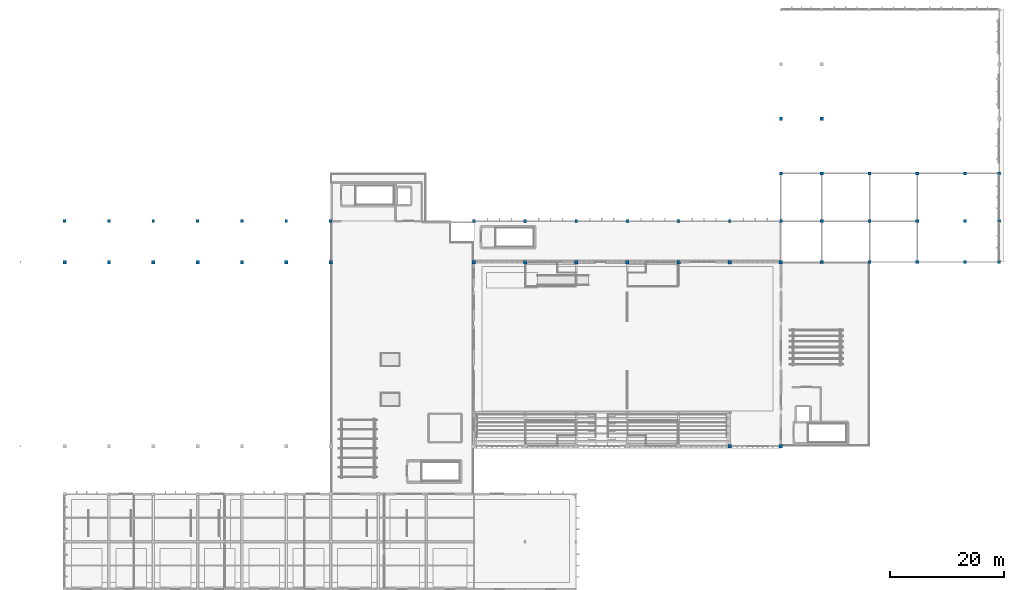
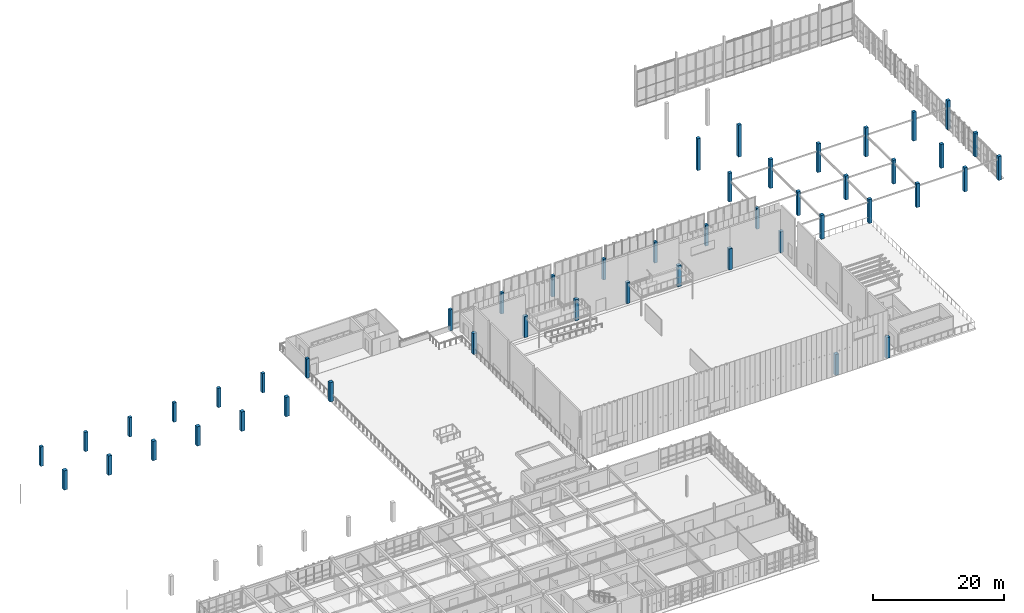
# One storey, part 4 of 67: 48 columns.
"""IFC4 building model written with IfcOpenShell, lengths in metres."""

import ifcopenshell
import ifcopenshell.guid

model = None  # the IFC model being written
_history = None  # IfcOwnerHistory: only IFC2X3 demands one
_inside = {}  # id of a spatial element -> (the spatial element, [elements in it])
_under = {}  # id of a project, library or spatial element -> (it, [spatial elements below it])
_declared = {}  # id of a project -> (the project, [libraries it declares])
_typed = {}  # id of a type object -> (the type object, [elements of that type])
_made_of = {}  # id of a material, layer set ... -> (it, [elements and type objects made of it])


def new_model(schema):
    """Start an empty IFC model of exactly this schema.

    Asked for "IFC4X3", IfcOpenShell would pick the latest addendum, in which some entities
    have other attributes; the version numbers below select the first issue.
    IFC2X3 requires an IfcOwnerHistory on every rooted entity: one is made here for all.
    """
    global model, _history
    if schema == "IFC4X3":
        model = ifcopenshell.file(schema_version=(4, 3, 0, 0))
    else:
        model = ifcopenshell.file(schema=schema)
    _inside.clear()
    _under.clear()
    _declared.clear()
    _typed.clear()
    _made_of.clear()
    _history = None
    if model.schema == "IFC2X3":
        org = make("IfcOrganization", Name="unknown")
        user = make(
            "IfcPersonAndOrganization",
            ThePerson=make("IfcPerson", FamilyName="unknown"),
            TheOrganization=org,
        )
        app = make(
            "IfcApplication",
            ApplicationDeveloper=org,
            Version="unknown",
            ApplicationFullName="unknown",
            ApplicationIdentifier="unknown",
        )
        _history = make(
            "IfcOwnerHistory",
            OwningUser=user,
            OwningApplication=app,
            ChangeAction="ADDED",
            CreationDate=0,
        )
    return model


def make(cls, **values):
    """One entity of the class cls with the attributes given. An attribute that is None is left unset."""
    return model.create_entity(
        cls, **{name: value for name, value in values.items() if value is not None}
    )


def rooted(cls, **values):
    """An entity with a GlobalId (a new one), such as an element, a storey or a relation."""
    return make(cls, GlobalId=ifcopenshell.guid.new(), OwnerHistory=_history, **values)


def si_unit(unit_type, name, prefix=None):
    """IfcSIUnit, for example si_unit("LENGTHUNIT", "METRE", prefix="MILLI")."""
    return make("IfcSIUnit", UnitType=unit_type, Prefix=prefix, Name=name)


def assignment(units):
    """IfcUnitAssignment: the units of a project."""
    return None if units is None else make("IfcUnitAssignment", Units=units)


def point(xyz):
    """IfcCartesianPoint."""
    return None if xyz is None else make("IfcCartesianPoint", Coordinates=xyz)


def direction(xyz):
    """IfcDirection."""
    return None if xyz is None else make("IfcDirection", DirectionRatios=xyz)


def frame(location, z_axis=None, x_axis=None):
    """IfcAxis2Placement3D, a coordinate frame: its origin and axes. An axis left out is left unset."""
    return make(
        "IfcAxis2Placement3D",
        Location=point(location),
        Axis=direction(z_axis),
        RefDirection=direction(x_axis),
    )


def frame_2d(location, x_axis=None):
    """IfcAxis2Placement2D, a coordinate frame in the plane: its origin and x axis."""
    return make(
        "IfcAxis2Placement2D", Location=point(location), RefDirection=direction(x_axis)
    )


def origin():
    """The frame at (0, 0, 0) with its axes left unset."""
    return frame((0.0, 0.0, 0.0))


def origin_2d():
    """The frame at (0, 0) in the plane with its x axis left unset."""
    return frame_2d((0.0, 0.0))


def place(relative_to, where):
    """IfcLocalPlacement: puts the frame where relative to a parent placement (None: the world)."""
    return make(
        "IfcLocalPlacement", PlacementRelTo=relative_to, RelativePlacement=where
    )


def context(
    kind, dimensions, precision=None, world=None, true_north=None, identifier=None
):
    """IfcGeometricRepresentationContext, for example the 3D "Model" context."""
    return make(
        "IfcGeometricRepresentationContext",
        ContextIdentifier=identifier,
        ContextType=kind,
        CoordinateSpaceDimension=dimensions,
        Precision=precision,
        WorldCoordinateSystem=world,
        TrueNorth=true_north,
    )


def subcontext(parent, identifier, kind, view, scale=None):
    """IfcGeometricRepresentationSubContext, for example "Body" below "Model"."""
    return make(
        "IfcGeometricRepresentationSubContext",
        ContextIdentifier=identifier,
        ContextType=kind,
        ParentContext=parent,
        TargetScale=scale,
        TargetView=view,
    )


def project(units=None, contexts=None):
    """IfcProject with its units and contexts."""
    return rooted(
        "IfcProject",
        Name="project",
        RepresentationContexts=contexts,
        UnitsInContext=assignment(units),
    )


def spatial(cls, under=None, at=None, **own):
    """A site, building, storey or space (cls), placed at a placement, below another one or the project."""
    s = rooted(cls, ObjectPlacement=at, **own)
    if under is not None:
        _under.setdefault(under.id(), (under, []))[1].append(s)
    return s


def profile(cls, at=None, kind="AREA", **sizes):
    """A parametric profile (cls). Its sizes go by their IFC names, for example OverallWidth=200.0."""
    return make(cls, ProfileType=kind, Position=at, **sizes)


def rectangle(**sizes):
    """IfcRectangleProfileDef."""
    return profile("IfcRectangleProfileDef", **sizes)


def extrude(swept, where, along, depth):
    """IfcExtrudedAreaSolid: the profile swept, set in the frame where, extruded along a direction by depth."""
    return make(
        "IfcExtrudedAreaSolid",
        SweptArea=swept,
        Position=where,
        ExtrudedDirection=direction(along),
        Depth=depth,
    )


def shape(context_of_items, identifier, shape_type, items):
    """IfcShapeRepresentation: the items that make up one representation, for example the "Body"."""
    return make(
        "IfcShapeRepresentation",
        ContextOfItems=context_of_items,
        RepresentationIdentifier=identifier,
        RepresentationType=shape_type,
        Items=items,
    )


def material(Name=None, Category=None):
    """IfcMaterial."""
    return make("IfcMaterial", Name=Name, Category=Category)


def material_profile(
    of_material, cross_section, Name=None, Category=None, Priority=None
):
    """IfcMaterialProfile: a cross section and its material."""
    return make(
        "IfcMaterialProfile",
        Name=Name,
        Material=of_material,
        Profile=cross_section,
        Priority=Priority,
        Category=Category,
    )


def profile_set(profiles, Name=None, composite=None):
    """IfcMaterialProfileSet."""
    return make(
        "IfcMaterialProfileSet",
        Name=Name,
        MaterialProfiles=profiles,
        CompositeProfile=composite,
    )


def made_of(thing, what):
    """Note that an element or type object is made of a material, layer set ...; save() writes the relation."""
    if what is not None:
        _made_of.setdefault(what.id(), (what, []))[1].append(thing)
    return thing


def type_object(cls, material=None, **own):
    """A type object (cls), such as IfcWallType, which elements share."""
    return made_of(rooted(cls, **own), material)


def element(
    cls,
    number,
    at=None,
    inside=None,
    cuts=None,
    type_object=None,
    material=None,
    context=None,
    identifier="Body",
    shape_type=None,
    held_by="IfcProductDefinitionShape",
    body=None,
    shapes=None,
    **own,
):
    """One element of the class cls, such as IfcWall. Its Tag is "e" and its number.

    at: its placement. inside: the storey or other place that contains it. cuts: it is an
    opening in that element (IfcRelVoidsElement). A single representation is given by context,
    identifier, shape_type and body (its items); several are given by shapes. held_by: the class
    of the entity that holds the representations. save() writes the other relations.
    """
    e = rooted(cls, Tag="e%d" % number, ObjectPlacement=at, **own)
    if body is not None:
        shapes = [shape(context, identifier, shape_type, body)]
    if shapes is not None:
        e.Representation = make(held_by, Representations=shapes)
    if inside is not None:
        _inside.setdefault(inside.id(), (inside, []))[1].append(e)
    if cuts is not None:
        rooted(
            "IfcRelVoidsElement", RelatingBuildingElement=cuts, RelatedOpeningElement=e
        )
    if type_object is not None:
        _typed.setdefault(type_object.id(), (type_object, []))[1].append(e)
    return made_of(e, material)


def aggregate(whole, parts):
    """IfcRelAggregates: a whole, such as a stair, and the parts it consists of."""
    return rooted("IfcRelAggregates", RelatingObject=whole, RelatedObjects=parts)


def save(model, path):
    """Write the relations noted so far, then the file.

    IfcRelAggregates (storeys below a building ...), IfcRelContainedInSpatialStructure (elements
    in a storey), IfcRelDefinesByType, IfcRelAssociatesMaterial and IfcRelDeclares: one each for
    every whole, place, type object, material and project.
    """
    for whole, parts in _under.values():
        aggregate(whole, parts)
    for where, things in _inside.values():
        rooted(
            "IfcRelContainedInSpatialStructure",
            RelatedElements=things,
            RelatingStructure=where,
        )
    for kind, things in _typed.values():
        rooted("IfcRelDefinesByType", RelatedObjects=things, RelatingType=kind)
    for what, things in _made_of.values():
        rooted("IfcRelAssociatesMaterial", RelatedObjects=things, RelatingMaterial=what)
    for by, libraries in _declared.values():
        rooted("IfcRelDeclares", RelatingContext=by, RelatedDefinitions=libraries)
    model.write(path)


model = new_model("IFC4")

# Units and contexts
model_context = context("Model", 3, precision=1e-05, world=origin(), true_north=direction((0.0, 1.0)))
body_context = subcontext(model_context, "Body", "Model", "MODEL_VIEW")
ifc_project = project(units=[si_unit("LENGTHUNIT", "METRE"), si_unit("AREAUNIT", "SQUARE_METRE"), si_unit("VOLUMEUNIT", "CUBIC_METRE"), si_unit("PLANEANGLEUNIT", "RADIAN"), si_unit("MASSUNIT", "GRAM", prefix="KILO")], contexts=[model_context])

# Site, building, storey
site_placement = place(None, origin())
site = spatial("IfcSite", under=ifc_project, at=site_placement, CompositionType="ELEMENT")
building_placement = place(site_placement, origin())
building = spatial("IfcBuilding", under=site, at=building_placement, Name="Tizgana Railside Sports Hall", CompositionType="ELEMENT")
storey_placement = place(building_placement, frame((0.0, 0.0, 12.0)))
storey = spatial("IfcBuildingStorey", under=building, at=storey_placement, Name="L02", CompositionType="ELEMENT", Elevation=12.0)

# Columns
ifc_material_1 = material(Name="Concrete C35/45", Category="concrete")
ifc_material_profile_1 = material_profile(ifc_material_1, rectangle(XDim=0.5, YDim=0.5, at=origin_2d()), Name="RC 500x500")
ifc_profile_set_1 = profile_set([ifc_material_profile_1], Name="Concrete C35/45")
column_type_1 = type_object("IfcColumnType", Name="Concrete Column RC 500x500", PredefinedType="COLUMN", material=ifc_profile_set_1)
for number, where, z_axis, x_axis, name in (
    (1, (7.800048828125, 80.39990234375, 0.0), (0.0, 0.0, 1.0), (1.0, 0.0, 0.0), "L02 COL-0028"),
    (2, (15.60009765625, 80.39990234375, 0.0), (0.0, 0.0, 1.0), (1.0, 0.0, 0.0), "L02 COL-0048"),
    (3, (23.39990234375, 80.39990234375, 0.0), (0.0, 0.0, 1.0), (1.0, 0.0, 0.0), "L02 COL-0076"),
    (4, (31.199951171875, 80.39990234375, 0.0), (0.0, 0.0, 1.0), (1.0, 0.0, 0.0), "L02 COL-0096"),
    (5, (39.0, 80.39990234375, 0.0), (0.0, 0.0, 1.0), (1.0, 0.0, 0.0), "L02 COL-0124"),
    (6, (46.800048828125, 80.39990234375, 0.0), (0.0, 0.0, 1.0), (1.0, 0.0, 0.0), "L02 COL-0144"),
    (7, (54.60009765625, 80.39990234375, 0.0), (0.0, 0.0, 1.0), (1.0, 0.0, 0.0), "L02 COL-0175"),
):
    element("IfcColumn", number, at=place(storey_placement, frame(where, z_axis=z_axis, x_axis=x_axis)), inside=storey, type_object=column_type_1, Name=name, PredefinedType="COLUMN", context=body_context, shape_type="SweptSolid", body=[
        extrude(rectangle(XDim=0.5, YDim=0.5, at=origin_2d()), origin(), (0.0, 0.0, 1.0), 3.60009765625),
    ])
for number, where, z_axis, x_axis, name in (
    (8, (79.800048828125, 80.39990234375, 0.0), (0.0, 0.0, 1.0), (1.0, 0.0, 0.0), "L02 COL-0277"),
    (9, (88.800048828125, 80.39990234375, 0.0), (0.0, 0.0, 1.0), (1.0, 0.0, 0.0), "L02 COL-0298"),
    (10, (97.800048828125, 80.39990234375, 0.0), (0.0, 0.0, 1.0), (1.0, 0.0, 0.0), "L02 COL-0319"),
    (11, (106.800048828125, 80.39990234375, 0.0), (0.0, 0.0, 1.0), (1.0, 0.0, 0.0), "L02 COL-0344"),
    (12, (115.800048828125, 80.39990234375, 0.0), (0.0, 0.0, 1.0), (1.0, 0.0, 0.0), "L02 COL-0365"),
    (13, (124.800048828125, 80.39990234375, 0.0), (0.0, 0.0, 1.0), (1.0, 0.0, 0.0), "L02 COL-0390"),
    (14, (133.800048828125, 80.39990234375, 0.0), (0.0, 0.0, 1.0), (1.0, 0.0, 0.0), "L02 COL-0419"),
):
    element("IfcColumn", number, at=place(storey_placement, frame(where, z_axis=z_axis, x_axis=x_axis)), inside=storey, type_object=column_type_1, Name=name, PredefinedType="COLUMN", context=body_context, shape_type="SweptSolid", body=[
        extrude(rectangle(XDim=0.5, YDim=0.5, at=origin_2d()), origin(), (0.0, 0.0, 1.0), 3.89990234375),
    ])
ifc_material_2 = material(Name="Concrete C40/50", Category="concrete")
ifc_material_profile_2 = material_profile(ifc_material_2, rectangle(XDim=0.550048828125, YDim=0.550048828125, at=origin_2d()), Name="RC 550x550")
ifc_profile_set_2 = profile_set([ifc_material_profile_2], Name="Concrete C40/50")
column_type_2 = type_object("IfcColumnType", Name="Concrete Column RC 550x550", PredefinedType="COLUMN", material=ifc_profile_set_2)
column_1_placement = place(storey_placement, frame((133.800048828125, 88.800048828125, 0.0), z_axis=(0.0, 0.0, 1.0), x_axis=(1.0, 0.0, 0.0)))
element("IfcColumn", 15, at=column_1_placement, inside=storey, type_object=column_type_2, Name="L02 COL-0424", PredefinedType="COLUMN", context=body_context, shape_type="SweptSolid", body=[
    extrude(rectangle(XDim=0.550048828125, YDim=0.550048828125, at=origin_2d()), origin(), (0.0, 0.0, 1.0), 5.35009765625),
])
column_2_placement = place(storey_placement, frame((133.800048828125, 98.39990234375, 0.0), z_axis=(0.0, 0.0, 1.0), x_axis=(1.0, 0.0, 0.0)))
element("IfcColumn", 16, at=column_2_placement, inside=storey, type_object=column_type_2, Name="L02 COL-0428", PredefinedType="COLUMN", context=body_context, shape_type="SweptSolid", body=[
    extrude(rectangle(XDim=0.550048828125, YDim=0.550048828125, at=origin_2d()), origin(), (0.0, 0.0, 1.0), 5.949951171875),
])
for number, where, z_axis, x_axis, name in (
    (17, (141.0, 73.199951171875, 0.0), (0.0, 0.0, 1.0), (1.0, 0.0, 0.0), "L02 COL-0440"),
    (18, (141.0, 80.39990234375, 0.0), (0.0, 0.0, 1.0), (1.0, 0.0, 0.0), "L02 COL-0444"),
):
    element("IfcColumn", number, at=place(storey_placement, frame(where, z_axis=z_axis, x_axis=x_axis)), inside=storey, type_object=column_type_2, Name=name, PredefinedType="COLUMN", context=body_context, shape_type="SweptSolid", body=[
        extrude(rectangle(XDim=0.550048828125, YDim=0.550048828125, at=origin_2d()), origin(), (0.0, 0.0, 1.0), 4.449951171875),
    ])
column_3_placement = place(storey_placement, frame((141.0, 88.800048828125, 0.0), z_axis=(0.0, 0.0, 1.0), x_axis=(1.0, 0.0, 0.0)))
element("IfcColumn", 19, at=column_3_placement, inside=storey, type_object=column_type_2, Name="L02 COL-0448", PredefinedType="COLUMN", context=body_context, shape_type="SweptSolid", body=[
    extrude(rectangle(XDim=0.550048828125, YDim=0.550048828125, at=origin_2d()), origin(), (0.0, 0.0, 1.0), 5.35009765625),
])
column_4_placement = place(storey_placement, frame((141.0, 98.39990234375, 0.0), z_axis=(0.0, 0.0, 1.0), x_axis=(1.0, 0.0, 0.0)))
element("IfcColumn", 20, at=column_4_placement, inside=storey, type_object=column_type_2, Name="L02 COL-0452", PredefinedType="COLUMN", context=body_context, shape_type="SweptSolid", body=[
    extrude(rectangle(XDim=0.550048828125, YDim=0.550048828125, at=origin_2d()), origin(), (0.0, 0.0, 1.0), 5.949951171875),
])
for number, where, z_axis, x_axis, name in (
    (21, (149.39990234375, 73.199951171875, 0.0), (0.0, 0.0, 1.0), (1.0, 0.0, 0.0), "L02 COL-0464"),
    (22, (149.39990234375, 80.39990234375, 0.0), (0.0, 0.0, 1.0), (1.0, 0.0, 0.0), "L02 COL-0468"),
):
    element("IfcColumn", number, at=place(storey_placement, frame(where, z_axis=z_axis, x_axis=x_axis)), inside=storey, type_object=column_type_2, Name=name, PredefinedType="COLUMN", context=body_context, shape_type="SweptSolid", body=[
        extrude(rectangle(XDim=0.550048828125, YDim=0.550048828125, at=origin_2d()), origin(), (0.0, 0.0, 1.0), 4.449951171875),
    ])
column_5_placement = place(storey_placement, frame((149.39990234375, 88.800048828125, 0.0), z_axis=(0.0, 0.0, 1.0), x_axis=(1.0, 0.0, 0.0)))
element("IfcColumn", 23, at=column_5_placement, inside=storey, type_object=column_type_2, Name="L02 COL-0472", PredefinedType="COLUMN", context=body_context, shape_type="SweptSolid", body=[
    extrude(rectangle(XDim=0.550048828125, YDim=0.550048828125, at=origin_2d()), origin(), (0.0, 0.0, 1.0), 5.35009765625),
])
for number, where, z_axis, x_axis, name in (
    (24, (157.800048828125, 73.199951171875, 0.0), (0.0, 0.0, 1.0), (1.0, 0.0, 0.0), "L02 COL-0480"),
    (25, (157.800048828125, 80.39990234375, 0.0), (0.0, 0.0, 1.0), (1.0, 0.0, 0.0), "L02 COL-0484"),
):
    element("IfcColumn", number, at=place(storey_placement, frame(where, z_axis=z_axis, x_axis=x_axis)), inside=storey, type_object=column_type_2, Name=name, PredefinedType="COLUMN", context=body_context, shape_type="SweptSolid", body=[
        extrude(rectangle(XDim=0.550048828125, YDim=0.550048828125, at=origin_2d()), origin(), (0.0, 0.0, 1.0), 4.449951171875),
    ])
column_6_placement = place(storey_placement, frame((157.800048828125, 88.800048828125, 0.0), z_axis=(0.0, 0.0, 1.0), x_axis=(1.0, 0.0, 0.0)))
element("IfcColumn", 26, at=column_6_placement, inside=storey, type_object=column_type_2, Name="L02 COL-0488", PredefinedType="COLUMN", context=body_context, shape_type="SweptSolid", body=[
    extrude(rectangle(XDim=0.550048828125, YDim=0.550048828125, at=origin_2d()), origin(), (0.0, 0.0, 1.0), 5.35009765625),
])
for number, where, z_axis, x_axis, name in (
    (27, (166.199951171875, 73.199951171875, 0.0), (0.0, 0.0, 1.0), (1.0, 0.0, 0.0), "L02 COL-0496"),
    (28, (166.199951171875, 80.39990234375, 0.0), (0.0, 0.0, 1.0), (1.0, 0.0, 0.0), "L02 COL-0500"),
):
    element("IfcColumn", number, at=place(storey_placement, frame(where, z_axis=z_axis, x_axis=x_axis)), inside=storey, type_object=column_type_2, Name=name, PredefinedType="COLUMN", context=body_context, shape_type="SweptSolid", body=[
        extrude(rectangle(XDim=0.550048828125, YDim=0.550048828125, at=origin_2d()), origin(), (0.0, 0.0, 1.0), 4.449951171875),
    ])
column_7_placement = place(storey_placement, frame((166.199951171875, 88.800048828125, 0.0), z_axis=(0.0, 0.0, 1.0), x_axis=(1.0, 0.0, 0.0)))
element("IfcColumn", 29, at=column_7_placement, inside=storey, type_object=column_type_2, Name="L02 COL-0504", PredefinedType="COLUMN", context=body_context, shape_type="SweptSolid", body=[
    extrude(rectangle(XDim=0.550048828125, YDim=0.550048828125, at=origin_2d()), origin(), (0.0, 0.0, 1.0), 5.35009765625),
])
for number, where, z_axis, x_axis, name in (
    (30, (172.199951171875, 73.199951171875, 0.0), (0.0, 0.0, 1.0), (1.0, 0.0, 0.0), "L02 COL-0512"),
    (31, (172.199951171875, 80.39990234375, 0.0), (0.0, 0.0, 1.0), (1.0, 0.0, 0.0), "L02 COL-0516"),
):
    element("IfcColumn", number, at=place(storey_placement, frame(where, z_axis=z_axis, x_axis=x_axis)), inside=storey, type_object=column_type_2, Name=name, PredefinedType="COLUMN", context=body_context, shape_type="SweptSolid", body=[
        extrude(rectangle(XDim=0.550048828125, YDim=0.550048828125, at=origin_2d()), origin(), (0.0, 0.0, 1.0), 4.449951171875),
    ])
column_8_placement = place(storey_placement, frame((172.199951171875, 88.800048828125, 0.0), z_axis=(0.0, 0.0, 1.0), x_axis=(1.0, 0.0, 0.0)))
element("IfcColumn", 32, at=column_8_placement, inside=storey, type_object=column_type_2, Name="L02 COL-0520", PredefinedType="COLUMN", context=body_context, shape_type="SweptSolid", body=[
    extrude(rectangle(XDim=0.550048828125, YDim=0.550048828125, at=origin_2d()), origin(), (0.0, 0.0, 1.0), 5.35009765625),
])
ifc_material_profile_3 = material_profile(ifc_material_2, rectangle(XDim=0.60009765625, YDim=0.60009765625, at=origin_2d()), Name="RC 600x600")
ifc_profile_set_3 = profile_set([ifc_material_profile_3], Name="Concrete C40/50")
column_type_3 = type_object("IfcColumnType", Name="Concrete Column RC 600x600", PredefinedType="COLUMN", material=ifc_profile_set_3)
for number, where, z_axis, x_axis, name in (
    (33, (7.800048828125, 73.199951171875, 0.0), (0.0, 0.0, 1.0), (1.0, 0.0, 0.0), "L02 COL-0024"),
    (34, (15.60009765625, 73.199951171875, 0.0), (0.0, 0.0, 1.0), (1.0, 0.0, 0.0), "L02 COL-0044"),
    (35, (23.39990234375, 73.199951171875, 0.0), (0.0, 0.0, 1.0), (1.0, 0.0, 0.0), "L02 COL-0072"),
    (36, (31.199951171875, 73.199951171875, 0.0), (0.0, 0.0, 1.0), (1.0, 0.0, 0.0), "L02 COL-0092"),
    (37, (39.0, 73.199951171875, 0.0), (0.0, 0.0, 1.0), (1.0, 0.0, 0.0), "L02 COL-0120"),
    (38, (46.800048828125, 73.199951171875, 0.0), (0.0, 0.0, 1.0), (1.0, 0.0, 0.0), "L02 COL-0140"),
    (39, (54.60009765625, 73.199951171875, 0.0), (0.0, 0.0, 1.0), (1.0, 0.0, 0.0), "L02 COL-0171"),
):
    element("IfcColumn", number, at=place(storey_placement, frame(where, z_axis=z_axis, x_axis=x_axis)), inside=storey, type_object=column_type_3, Name=name, PredefinedType="COLUMN", context=body_context, shape_type="SweptSolid", body=[
        extrude(rectangle(XDim=0.60009765625, YDim=0.60009765625, at=origin_2d()), origin(), (0.0, 0.0, 1.0), 3.60009765625),
    ])
for number, where, z_axis, x_axis, name in (
    (40, (79.800048828125, 73.199951171875, 0.0), (0.0, 0.0, 1.0), (1.0, 0.0, 0.0), "L02 COL-0271"),
    (41, (88.800048828125, 73.199951171875, 0.0), (0.0, 0.0, 1.0), (1.0, 0.0, 0.0), "L02 COL-0292"),
    (42, (97.800048828125, 73.199951171875, 0.0), (0.0, 0.0, 1.0), (1.0, 0.0, 0.0), "L02 COL-0313"),
    (43, (106.800048828125, 73.199951171875, 0.0), (0.0, 0.0, 1.0), (1.0, 0.0, 0.0), "L02 COL-0338"),
    (44, (115.800048828125, 73.199951171875, 0.0), (0.0, 0.0, 1.0), (1.0, 0.0, 0.0), "L02 COL-0359"),
    (45, (124.800048828125, 40.800048828125, 0.0), (0.0, 0.0, 1.0), (1.0, 0.0, 0.0), "L02 COL-0374"),
    (46, (124.800048828125, 73.199951171875, 0.0), (0.0, 0.0, 1.0), (1.0, 0.0, 0.0), "L02 COL-0384"),
    (47, (133.800048828125, 40.800048828125, 0.0), (0.0, 0.0, 1.0), (1.0, 0.0, 0.0), "L02 COL-0395"),
    (48, (133.800048828125, 73.199951171875, 0.0), (0.0, 0.0, 1.0), (1.0, 0.0, 0.0), "L02 COL-0413"),
):
    element("IfcColumn", number, at=place(storey_placement, frame(where, z_axis=z_axis, x_axis=x_axis)), inside=storey, type_object=column_type_3, Name=name, PredefinedType="COLUMN", context=body_context, shape_type="SweptSolid", body=[
        extrude(rectangle(XDim=0.60009765625, YDim=0.60009765625, at=origin_2d()), origin(), (0.0, 0.0, 1.0), 3.89990234375),
    ])

save(model, "model.ifc")
